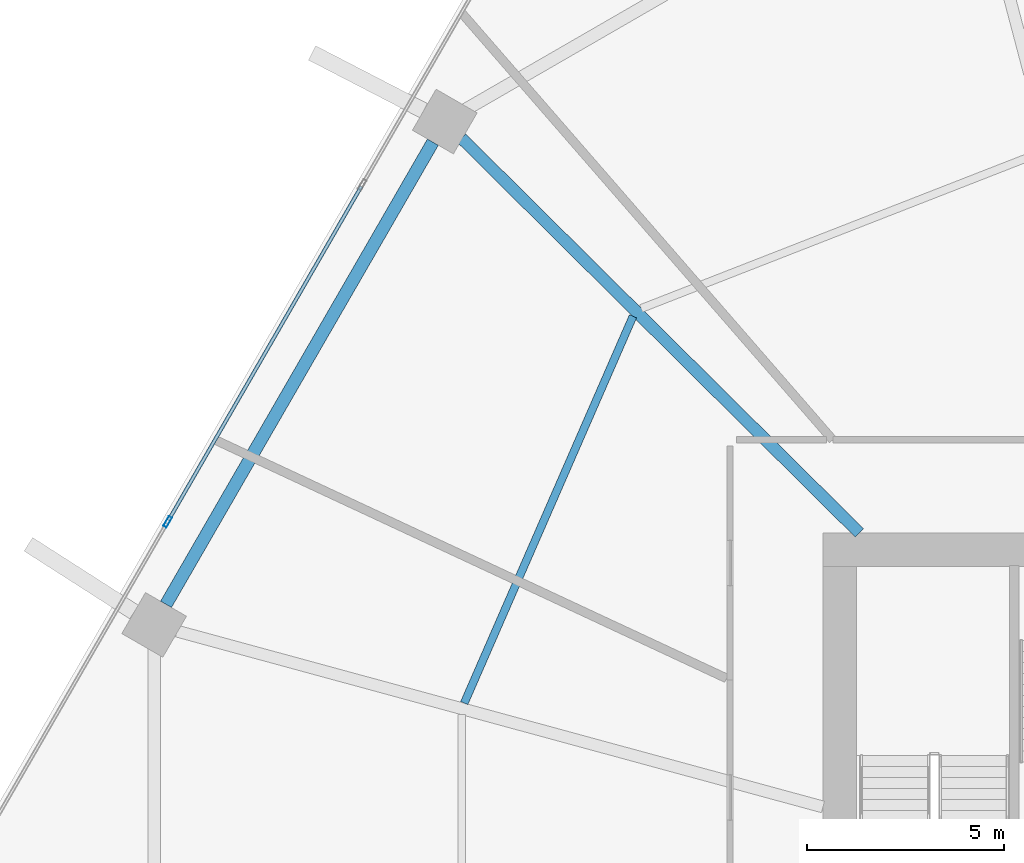
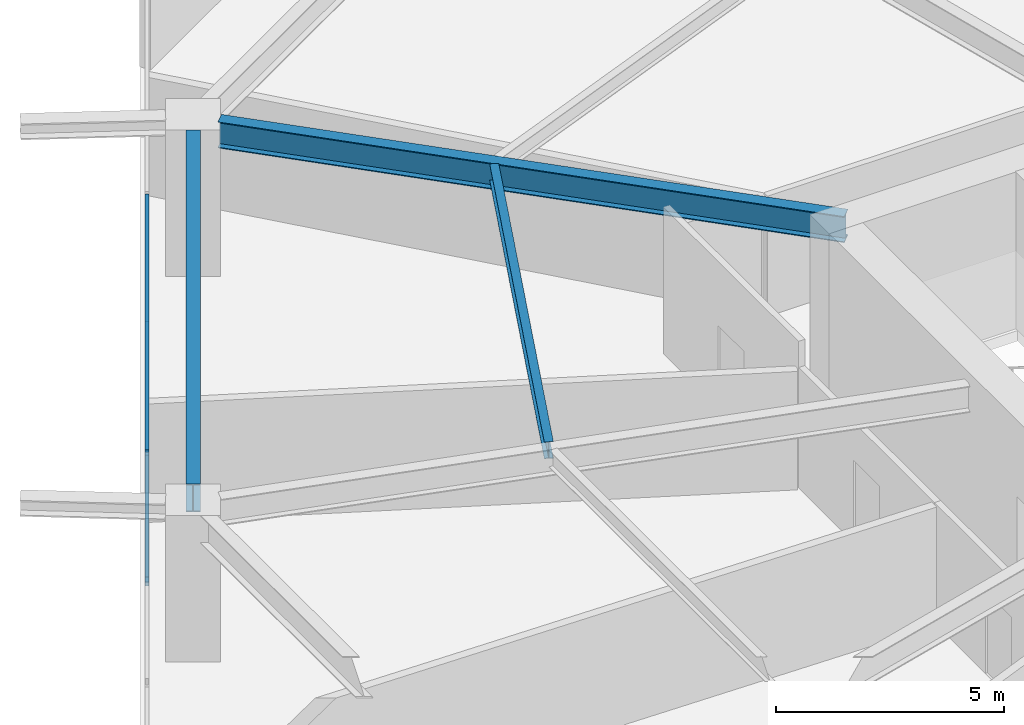
# One storey, part 13 of 27: 3 beams, 3 members, 1 element without a shape of its own.
"""IFC4 building model written with IfcOpenShell, lengths in metres."""

from ifc_helpers import new_model, si_unit, direction, frame, origin, origin_2d, place, context, subcontext, project, spatial, hollow_rectangle, i_section, extrude, material, material_profile, profile_set, type_object, element, aggregate, save


model = new_model("IFC4")

# Units and contexts
model_context = context("Model", 3, precision=1e-05, world=origin(), true_north=direction((0.0, 1.0)))
body_context = subcontext(model_context, "Body", "Model", "MODEL_VIEW")
ifc_project = project(units=[si_unit("LENGTHUNIT", "METRE"), si_unit("AREAUNIT", "SQUARE_METRE"), si_unit("VOLUMEUNIT", "CUBIC_METRE"), si_unit("PLANEANGLEUNIT", "RADIAN"), si_unit("MASSUNIT", "GRAM", prefix="KILO")], contexts=[model_context])

# Site, building, storey
site_placement = place(None, origin())
site = spatial("IfcSite", under=ifc_project, at=site_placement, CompositionType="ELEMENT")
building_placement = place(site_placement, origin())
building = spatial("IfcBuilding", under=site, at=building_placement, Name="Zuhravey Tower", CompositionType="ELEMENT")
storey_placement = place(building_placement, frame((0.0, 0.0, 12.0)))
storey = spatial("IfcBuildingStorey", under=building, at=storey_placement, Name="L03", CompositionType="ELEMENT", Elevation=12.0)

# Curtain wall, members
ifc_material_1 = material(Name="Thermally broken anodised aluminium", Category="aluminium")
curtain_wall_type = type_object("IfcCurtainWallType", Name="School Low-E Unitised Curtain Wall CW1", PredefinedType="NOTDEFINED", material=ifc_material_1)
curtain_wall_placement = place(storey_placement, origin())
curtain_wall = element("IfcCurtainWall", 1, at=curtain_wall_placement, inside=storey, type_object=curtain_wall_type, Name="L03 CW1 CW-L03-F3-1", PredefinedType="NOTDEFINED")
ifc_material_2 = material(Name="Anodised aluminium", Category="aluminium")
ifc_material_profile_1 = material_profile(ifc_material_2, hollow_rectangle(XDim=0.090087890625, YDim=0.284912109375, WallThickness=0.0048828125, at=origin_2d()), Name="ALU-RHS-90x285x5")
ifc_profile_set_1 = profile_set([ifc_material_profile_1], Name="Anodised aluminium")
member_type_1 = type_object("IfcMemberType", Name="Curtain-Wall Mullion 90x180", PredefinedType="MULLION", material=ifc_profile_set_1)
member_1_placement = place(storey_placement, frame((8.45458984375, 42.20703125, 0.0), z_axis=(0.0, 0.0, 1.0), x_axis=(-0.86602552265, 0.499999794119, 0.0)))
member_1 = element("IfcMember", 2, at=member_1_placement, type_object=member_type_1, Name="CW1 mullion 2", PredefinedType="MULLION", context=body_context, shape_type="SweptSolid", body=[
    extrude(hollow_rectangle(XDim=0.090087890625, YDim=0.284912109375, WallThickness=0.0048828125, at=origin_2d()), origin(), (0.0, 0.0, 1.0), 3.491943359375),
])
ifc_material_profile_2 = material_profile(ifc_material_2, hollow_rectangle(XDim=0.090087890625, YDim=0.14990234375, WallThickness=0.0048828125, at=origin_2d()), Name="ALU-RHS-90x150x5")
ifc_profile_set_2 = profile_set([ifc_material_profile_2], Name="Anodised aluminium")
member_type_2 = type_object("IfcMemberType", Name="Curtain-Wall Transom 90x150", PredefinedType="USERDEFINED", material=ifc_profile_set_2)
member_2_placement = place(storey_placement, frame((8.47705078125, 42.245849609375, 0.044921875), z_axis=(0.499990498062, 0.866030889661, 0.0), x_axis=(-0.866030889661, 0.499990498062, 0.0)))
member_2 = element("IfcMember", 3, at=member_2_placement, type_object=member_type_2, Name="CW1 transom 2.1", ObjectType="TRANSOM", PredefinedType="USERDEFINED", context=body_context, shape_type="SweptSolid", body=[
    extrude(hollow_rectangle(XDim=0.090087890625, YDim=0.14990234375, WallThickness=0.0048828125, at=origin_2d()), origin(), (0.0, 0.0, 1.0), 9.776611328125),
])
member_3_placement = place(storey_placement, frame((8.47705078125, 42.245849609375, 3.447021484375), z_axis=(0.499990498062, 0.866030889661, 0.0), x_axis=(-0.866030889661, 0.499990498062, 0.0)))
member_3 = element("IfcMember", 4, at=member_3_placement, type_object=member_type_2, Name="CW1 transom 2.2", ObjectType="TRANSOM", PredefinedType="USERDEFINED", context=body_context, shape_type="SweptSolid", body=[
    extrude(hollow_rectangle(XDim=0.090087890625, YDim=0.14990234375, WallThickness=0.0048828125, at=origin_2d()), origin(), (0.0, 0.0, 1.0), 9.776611328125),
])
aggregate(curtain_wall, [member_1, member_2, member_3])

# Beams
ifc_material_3 = material(Name="Steel SM355", Category="steel")
ifc_material_profile_3 = material_profile(ifc_material_3, i_section(OverallWidth=0.320068359375, OverallDepth=0.75, WebThickness=0.013916015625, FlangeThickness=0.02490234375, at=origin_2d()), Name="H-750x320x14x25")
ifc_profile_set_3 = profile_set([ifc_material_profile_3], Name="Steel SM355")
beam_type_1 = type_object("IfcBeamType", Name="Perimeter Ring Beam H750x320", PredefinedType="BEAM", material=ifc_profile_set_3)
beam_1_placement = place(storey_placement, frame((15.179443359375, 51.834716796875, 3.544921875), z_axis=(-0.499999877243, -0.866025474658, 0.0), x_axis=(0.866025474658, -0.499999877243, 0.0)))
element("IfcBeam", 5, at=beam_1_placement, inside=storey, type_object=beam_type_1, Name="L03 PB1 BM-L03-PB-05", PredefinedType="BEAM", context=body_context, shape_type="SweptSolid", body=[
    extrude(i_section(OverallWidth=0.320068359375, OverallDepth=0.75, WebThickness=0.013916015625, FlangeThickness=0.02490234375, at=origin_2d()), origin(), (0.0, 0.0, 1.0), 13.5341796875),
])
ifc_material_profile_4 = material_profile(ifc_material_3, i_section(OverallWidth=0.300048828125, OverallDepth=0.699951171875, WebThickness=0.012939453125, FlangeThickness=0.02392578125, at=origin_2d()), Name="H-700x300x13x24")
ifc_profile_set_4 = profile_set([ifc_material_profile_4], Name="Steel SM355")
beam_type_2 = type_object("IfcBeamType", Name="Radial Primary Girder H700x300", PredefinedType="BEAM", material=ifc_profile_set_4)
beam_2_placement = place(storey_placement, frame((25.992919921875, 41.927978515625, 3.570068359375), z_axis=(-0.709902823282, 0.704299639, 0.0), x_axis=(-0.704299639, -0.709902823282, 0.0)))
element("IfcBeam", 6, at=beam_2_placement, inside=storey, type_object=beam_type_2, Name="L03 RG1 BM-L03-RAD-05", PredefinedType="BEAM", context=body_context, shape_type="SweptSolid", body=[
    extrude(i_section(OverallWidth=0.300048828125, OverallDepth=0.699951171875, WebThickness=0.012939453125, FlangeThickness=0.02392578125, at=origin_2d()), origin(), (0.0, 0.0, 1.0), 14.204345703125),
])
ifc_material_profile_5 = material_profile(ifc_material_3, i_section(OverallWidth=0.199951171875, OverallDepth=0.449951171875, WebThickness=0.009033203125, FlangeThickness=0.013916015625, at=origin_2d()), Name="H-450x200x9x14")
ifc_profile_set_5 = profile_set([ifc_material_profile_5], Name="Steel SM355")
beam_type_3 = type_object("IfcBeamType", Name="Secondary Floor Joist H450x200", PredefinedType="JOIST", material=ifc_profile_set_5)
beam_3_placement = place(storey_placement, frame((20.2548828125, 47.41845703125, 3.695068359375), z_axis=(-0.399923551578, -0.916548500022, 0.0), x_axis=(0.916548500022, -0.399923551578, 0.0)))
element("IfcBeam", 7, at=beam_3_placement, inside=storey, type_object=beam_type_3, Name="L03 SJ1 BM-L03-SJ-05-1", PredefinedType="JOIST", context=body_context, shape_type="SweptSolid", body=[
    extrude(i_section(OverallWidth=0.199951171875, OverallDepth=0.449951171875, WebThickness=0.009033203125, FlangeThickness=0.013916015625, at=origin_2d()), origin(), (0.0, 0.0, 1.0), 10.70263671875),
])

save(model, "model.ifc")
